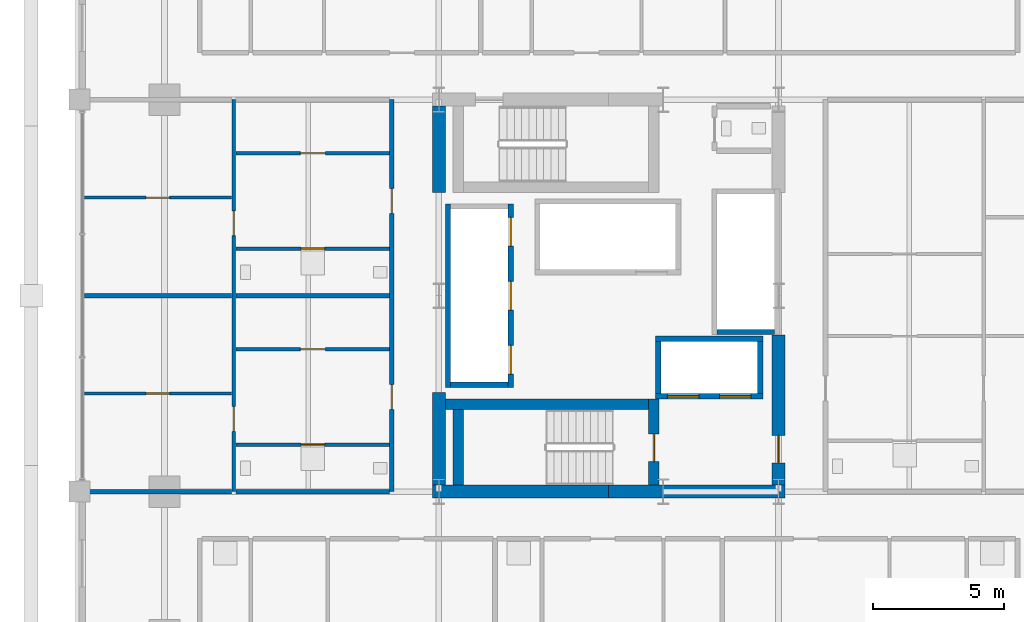
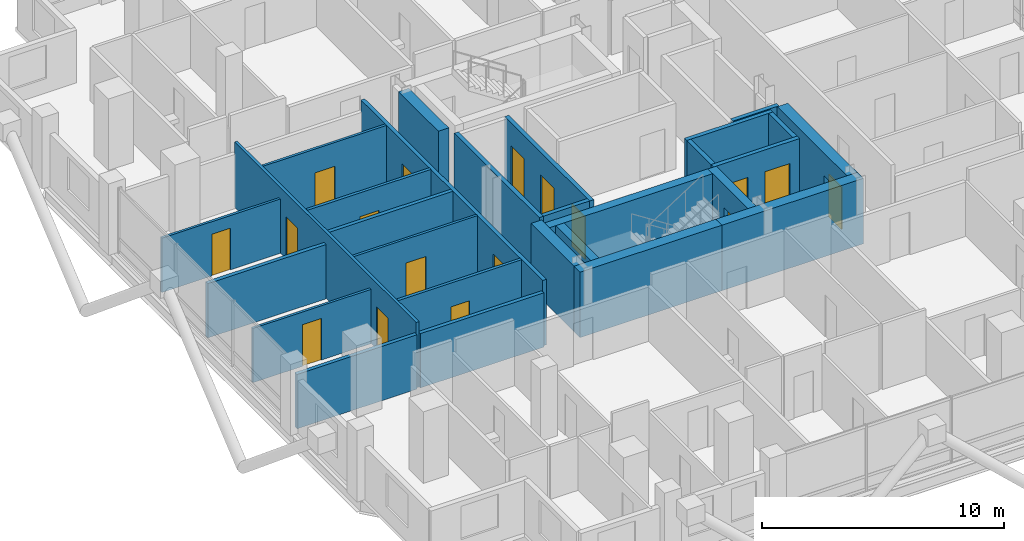
# One storey, part 18 of 23: 28 walls, 17 doors, 17 openings.
"""IFC4 building model written with IfcOpenShell, lengths in metres."""

from ifc_helpers import new_model, si_unit, direction, frame, frame_2d, origin, place, context, subcontext, project, spatial, rectangle, extrude, material, layer, layer_set, type_object, element, fill, save


model = new_model("IFC4")

# Units and contexts
model_context = context("Model", 3, precision=1e-05, world=origin(), true_north=direction((0.0, 1.0)))
body_context = subcontext(model_context, "Body", "Model", "MODEL_VIEW")
ifc_project = project(units=[si_unit("LENGTHUNIT", "METRE"), si_unit("AREAUNIT", "SQUARE_METRE"), si_unit("VOLUMEUNIT", "CUBIC_METRE"), si_unit("PLANEANGLEUNIT", "RADIAN"), si_unit("MASSUNIT", "GRAM", prefix="KILO")], contexts=[model_context])

# Site, building, storey
site_placement = place(None, origin())
site = spatial("IfcSite", under=ifc_project, at=site_placement, CompositionType="ELEMENT")
building_placement = place(site_placement, origin())
building = spatial("IfcBuilding", under=site, at=building_placement, Name="Barlavira Tower and Art Museum", CompositionType="ELEMENT")
storey_placement = place(building_placement, frame((0.0, 0.0, 117.0)))
storey = spatial("IfcBuildingStorey", under=building, at=storey_placement, Name="L29", CompositionType="ELEMENT", Elevation=117.0)

# Wall, opening, door
ifc_material_1 = material(Name="Gypsum acoustic stud partition", Category="gypsum")
ifc_layer_1 = layer(ifc_material_1, 0.1201171875, Name="Gypsum acoustic stud partition")
ifc_layer_set_1 = layer_set([ifc_layer_1], Name="Gypsum acoustic stud partition")
wall_type_1 = type_object("IfcWallType", Name="Apartment Internal Acoustic Partition 120", PredefinedType="PARTITIONING", material=ifc_layer_set_1)
wall_1_placement = place(storey_placement, frame((-20.070068359375, -3.75, 0.0), z_axis=(0.0, 0.0, 1.0), x_axis=(1.0, 0.0, 0.0)))
wall_1 = element("IfcWall", 1, at=wall_1_placement, inside=storey, type_object=wall_type_1, Name="L29 Partition Wall 59", PredefinedType="PARTITIONING", context=body_context, shape_type="SweptSolid", body=[
    extrude(rectangle(XDim=5.64013671875, YDim=0.1201171875, at=frame_2d((2.820068359375, 0.0))), origin(), (0.0, 0.0, 1.0), 2.736083984375),
])
opening_1_placement = place(wall_1_placement, frame((2.3701171875, 0.0, 0.0)))
opening_1 = element("IfcOpeningElement", 2, at=opening_1_placement, cuts=wall_1, Name="Opening D-01", PredefinedType="OPENING", context=body_context, shape_type="SweptSolid", body=[
    extrude(rectangle(XDim=0.89990234375, YDim=2.10009765625, at=frame_2d((0.449951171875, 1.050048828125))), frame((0.0, 0.070068359375, 0.0), z_axis=(0.0, -1.0, 0.0), x_axis=(1.0, 0.0, 0.0)), (0.0, 0.0, 1.0), 0.14013671875),
])
ifc_material_2 = material(Name="Engineered coastal hardwood", Category="wood")
door_type_1 = type_object("IfcDoorType", Name="Internal Bedroom Timber Flush Door 900x2100", OperationType="NOTDEFINED", PredefinedType="DOOR", material=ifc_material_2)
door_1_placement = place(opening_1_placement, origin())
door_1 = element("IfcDoor", 3, at=door_1_placement, inside=storey, type_object=door_type_1, Name="Apartment W1 Bedroom 1 Door", OperationType="SINGLE_SWING_RIGHT", OverallHeight=2.10009765625, OverallWidth=0.89990234375, PredefinedType="DOOR", context=body_context, shape_type="SweptSolid", body=[
    extrude(rectangle(XDim=0.89990234375, YDim=2.10009765625, at=frame_2d((0.449951171875, 1.050048828125))), frame((0.0, 0.02490234375, 0.0), z_axis=(0.0, -1.0, 0.0), x_axis=(1.0, 0.0, 0.0)), (0.0, 0.0, 1.0), 0.050048828125),
])
fill(opening_1, door_1)

wall_2_placement = place(storey_placement, frame((-14.27001953125, -2.050048828125, 0.0), z_axis=(0.0, 0.0, 1.0), x_axis=(1.0, 0.0, 0.0)))
wall_2 = element("IfcWall", 4, at=wall_2_placement, inside=storey, type_object=wall_type_1, Name="L29 Partition Wall 60", PredefinedType="PARTITIONING", context=body_context, shape_type="SweptSolid", body=[
    extrude(rectangle(XDim=5.89013671875, YDim=0.1201171875, at=frame_2d((2.945068359375, 0.0))), origin(), (0.0, 0.0, 1.0), 3.300048828125),
])
opening_2_placement = place(wall_2_placement, frame((2.47509765625, 0.0, 0.0)))
opening_2 = element("IfcOpeningElement", 5, at=opening_2_placement, cuts=wall_2, Name="Opening D-02", PredefinedType="OPENING", context=body_context, shape_type="SweptSolid", body=[
    extrude(rectangle(XDim=0.949951171875, YDim=2.10009765625, at=frame_2d((0.47509765625, 1.050048828125))), frame((0.0, 0.070068359375, 0.0), z_axis=(0.0, -1.0, 0.0), x_axis=(1.0, 0.0, 0.0)), (0.0, 0.0, 1.0), 0.14013671875),
])
door_type_2 = type_object("IfcDoorType", Name="Living and Salon Glazed-Leaf Door 950x2100", OperationType="NOTDEFINED", PredefinedType="DOOR", material=ifc_material_2)
door_2_placement = place(opening_2_placement, origin())
door_2 = element("IfcDoor", 6, at=door_2_placement, inside=storey, type_object=door_type_2, Name="Apartment W1 Kitchen Door", OperationType="SINGLE_SWING_RIGHT", OverallHeight=2.10009765625, OverallWidth=0.949951171875, PredefinedType="DOOR", context=body_context, shape_type="SweptSolid", body=[
    extrude(rectangle(XDim=0.949951171875, YDim=2.10009765625, at=frame_2d((0.47509765625, 1.050048828125))), frame((0.0, 0.02490234375, 0.0), z_axis=(0.0, -1.0, 0.0), x_axis=(1.0, 0.0, 0.0)), (0.0, 0.0, 1.0), 0.050048828125),
])
fill(opening_2, door_2)

wall_3_placement = place(storey_placement, frame((-20.070068359375, 3.75, 0.0), z_axis=(0.0, 0.0, 1.0), x_axis=(1.0, 0.0, 0.0)))
wall_3 = element("IfcWall", 7, at=wall_3_placement, inside=storey, type_object=wall_type_1, Name="L29 Partition Wall 68", PredefinedType="PARTITIONING", context=body_context, shape_type="SweptSolid", body=[
    extrude(rectangle(XDim=5.64013671875, YDim=0.1201171875, at=frame_2d((2.820068359375, 0.0))), origin(), (0.0, 0.0, 1.0), 2.736083984375),
])
opening_3_placement = place(wall_3_placement, frame((2.3701171875, 0.0, 0.0)))
opening_3 = element("IfcOpeningElement", 8, at=opening_3_placement, cuts=wall_3, Name="Opening D-01", PredefinedType="OPENING", context=body_context, shape_type="SweptSolid", body=[
    extrude(rectangle(XDim=0.89990234375, YDim=2.10009765625, at=frame_2d((0.449951171875, 1.050048828125))), frame((0.0, 0.070068359375, 0.0), z_axis=(0.0, -1.0, 0.0), x_axis=(1.0, 0.0, 0.0)), (0.0, 0.0, 1.0), 0.14013671875),
])
door_3_placement = place(opening_3_placement, origin())
door_3 = element("IfcDoor", 9, at=door_3_placement, inside=storey, type_object=door_type_1, Name="Apartment W2 Bedroom 1 Door", OperationType="SINGLE_SWING_LEFT", OverallHeight=2.10009765625, OverallWidth=0.89990234375, PredefinedType="DOOR", context=body_context, shape_type="SweptSolid", body=[
    extrude(rectangle(XDim=0.89990234375, YDim=2.10009765625, at=frame_2d((0.449951171875, 1.050048828125))), frame((0.0, 0.02490234375, 0.0), z_axis=(0.0, -1.0, 0.0), x_axis=(1.0, 0.0, 0.0)), (0.0, 0.0, 1.0), 0.050048828125),
])
fill(opening_3, door_3)

wall_4_placement = place(storey_placement, frame((-14.27001953125, 5.449951171875, 0.0), z_axis=(0.0, 0.0, 1.0), x_axis=(1.0, 0.0, 0.0)))
wall_4 = element("IfcWall", 10, at=wall_4_placement, inside=storey, type_object=wall_type_1, Name="L29 Partition Wall 69", PredefinedType="PARTITIONING", context=body_context, shape_type="SweptSolid", body=[
    extrude(rectangle(XDim=5.89013671875, YDim=0.1201171875, at=frame_2d((2.945068359375, 0.0))), origin(), (0.0, 0.0, 1.0), 3.300048828125),
])
opening_4_placement = place(wall_4_placement, frame((2.47509765625, 0.0, 0.0)))
opening_4 = element("IfcOpeningElement", 11, at=opening_4_placement, cuts=wall_4, Name="Opening D-02", PredefinedType="OPENING", context=body_context, shape_type="SweptSolid", body=[
    extrude(rectangle(XDim=0.949951171875, YDim=2.10009765625, at=frame_2d((0.47509765625, 1.050048828125))), frame((0.0, 0.070068359375, 0.0), z_axis=(0.0, -1.0, 0.0), x_axis=(1.0, 0.0, 0.0)), (0.0, 0.0, 1.0), 0.14013671875),
])
door_4_placement = place(opening_4_placement, origin())
door_4 = element("IfcDoor", 12, at=door_4_placement, inside=storey, type_object=door_type_2, Name="Apartment W2 Kitchen Door", OperationType="SINGLE_SWING_LEFT", OverallHeight=2.10009765625, OverallWidth=0.949951171875, PredefinedType="DOOR", context=body_context, shape_type="SweptSolid", body=[
    extrude(rectangle(XDim=0.949951171875, YDim=2.10009765625, at=frame_2d((0.47509765625, 1.050048828125))), frame((0.0, 0.02490234375, 0.0), z_axis=(0.0, -1.0, 0.0), x_axis=(1.0, 0.0, 0.0)), (0.0, 0.0, 1.0), 0.050048828125),
])
fill(opening_4, door_4)

# Walls
ifc_material_3 = material(Name="Concrete C60", Category="concrete")
ifc_layer_2 = layer(ifc_material_3, 0.5, Name="Concrete C60")
ifc_layer_set_2 = layer_set([ifc_layer_2], Name="Concrete C60")
wall_type_2 = type_object("IfcWallType", Name="Core Structural Shear Wall 500 Concrete C60", PredefinedType="SHEAR", material=ifc_layer_set_2)
for number, where, z_axis, x_axis, name in (
    (13, (-6.75, -7.5, 0.0), (0.0, 0.0, 1.0), (1.0, 0.0, 0.0), "L29 Core Shear Wall CS-SW"),
    (14, (0.0, -7.5, 0.0), (0.0, 0.0, 1.0), (1.0, 0.0, 0.0), "L29 Core Shear Wall CS-SE"),
):
    element("IfcWall", number, at=place(storey_placement, frame(where, z_axis=z_axis, x_axis=x_axis)), inside=storey, type_object=wall_type_2, Name=name, PredefinedType="SHEAR", context=body_context, shape_type="SweptSolid", body=[
        extrude(rectangle(XDim=6.75, YDim=0.5, at=frame_2d((3.375, 0.0))), origin(), (0.0, 0.0, 1.0), 3.300048828125),
    ])
wall_5_placement = place(storey_placement, frame((-6.5, -7.25, 0.0), z_axis=(0.0, 0.0, 1.0), x_axis=(0.0, 1.0, 0.0)))
element("IfcWall", 15, at=wall_5_placement, inside=storey, type_object=wall_type_2, Name="L29 Core Shear Wall CS-W1", PredefinedType="SHEAR", context=body_context, shape_type="SweptSolid", body=[
    extrude(rectangle(XDim=3.550048828125, YDim=0.5, at=frame_2d((1.77490234375, 0.0))), origin(), (0.0, 0.0, 1.0), 3.300048828125),
])
wall_6_placement = place(storey_placement, frame((-6.5, 3.949951171875, 0.0), z_axis=(0.0, 0.0, 1.0), x_axis=(0.0, 1.0, 0.0)))
element("IfcWall", 16, at=wall_6_placement, inside=storey, type_object=wall_type_2, Name="L29 Core Shear Wall CS-W2", PredefinedType="SHEAR", context=body_context, shape_type="SweptSolid", body=[
    extrude(rectangle(XDim=3.300048828125, YDim=0.5, at=frame_2d((1.64990234375, 0.0))), origin(), (0.0, 0.0, 1.0), 3.300048828125),
])

# Wall, opening, door
wall_7_placement = place(storey_placement, frame((6.5, -7.25, 0.0), z_axis=(0.0, 0.0, 1.0), x_axis=(0.0, 1.0, 0.0)))
wall_7 = element("IfcWall", 17, at=wall_7_placement, inside=storey, type_object=wall_type_2, Name="L29 Core Shear Wall CS-E1", PredefinedType="SHEAR", context=body_context, shape_type="SweptSolid", body=[
    extrude(rectangle(XDim=5.75, YDim=0.5, at=frame_2d((2.875, 0.0))), origin(), (0.0, 0.0, 1.0), 3.300048828125),
])
opening_5_placement = place(wall_7_placement, frame((0.85009765625, 0.0, 0.0)))
opening_5 = element("IfcOpeningElement", 18, at=opening_5_placement, cuts=wall_7, Name="Opening FD-90", PredefinedType="OPENING", context=body_context, shape_type="SweptSolid", body=[
    extrude(rectangle(XDim=1.050048828125, YDim=2.14990234375, at=frame_2d((0.52490234375, 1.074951171875))), frame((0.0, 0.260009765625, 0.0), z_axis=(0.0, -1.0, 0.0), x_axis=(1.0, 0.0, 0.0)), (0.0, 0.0, 1.0), 0.52001953125),
])
ifc_material_4 = material(Name="Brushed stainless steel", Category="steel")
door_type_3 = type_object("IfcDoorType", Name="Stair and Refuge Fire Door 1050x2150 FD90S", OperationType="NOTDEFINED", PredefinedType="DOOR", material=ifc_material_4)
door_5_placement = place(opening_5_placement, origin())
door_5 = element("IfcDoor", 19, at=door_5_placement, inside=storey, type_object=door_type_3, Name="L29 Firefighting Lobby Entry Fire Door", OperationType="SINGLE_SWING_LEFT", OverallHeight=2.14990234375, OverallWidth=1.050048828125, PredefinedType="DOOR", context=body_context, shape_type="SweptSolid", body=[
    extrude(rectangle(XDim=1.050048828125, YDim=2.14990234375, at=frame_2d((0.52490234375, 1.074951171875))), frame((0.0, 0.02490234375, 0.0), z_axis=(0.0, -1.0, 0.0), x_axis=(1.0, 0.0, 0.0)), (0.0, 0.0, 1.0), 0.050048828125),
])
fill(opening_5, door_5)

# Wall, openings, doors
ifc_material_5 = material(Name="Autoclaved aerated concrete masonry", Category="masonry")
ifc_layer_3 = layer(ifc_material_5, 0.199951171875, Name="Autoclaved aerated concrete masonry")
ifc_layer_set_3 = layer_set([ifc_layer_3], Name="Autoclaved aerated concrete masonry")
wall_type_3 = type_object("IfcWallType", Name="Fire Compartment and Shaft Wall 200", PredefinedType="SOLIDWALL", material=ifc_layer_set_3)
wall_8_placement = place(storey_placement, frame((-3.75, -3.510009765625, 0.0), z_axis=(0.0, 0.0, 1.0), x_axis=(0.0, 1.0, 0.0)))
wall_8 = element("IfcWall", 20, at=wall_8_placement, inside=storey, type_object=wall_type_3, Name="L29 Low-Rise Lift Front Shaft Wall", PredefinedType="SOLIDWALL", context=body_context, shape_type="SweptSolid", body=[
    extrude(rectangle(XDim=7.02001953125, YDim=0.199951171875, at=frame_2d((3.510009765625, 0.0))), origin(), (0.0, 0.0, 1.0), 3.300048828125),
])
opening_6_placement = place(wall_8_placement, frame((0.510009765625, 0.0, 0.0)))
opening_6 = element("IfcOpeningElement", 21, at=opening_6_placement, cuts=wall_8, Name="Opening LD-P", PredefinedType="OPENING", context=body_context, shape_type="SweptSolid", body=[
    extrude(rectangle(XDim=1.10009765625, YDim=2.14990234375, at=frame_2d((0.550048828125, 1.074951171875))), frame((0.0, 0.10986328125, 0.0), z_axis=(0.0, -1.0, 0.0), x_axis=(1.0, 0.0, 0.0)), (0.0, 0.0, 1.0), 0.219970703125),
])
opening_7_placement = place(wall_8_placement, frame((2.9599609375, 0.0, 0.0)))
opening_7 = element("IfcOpeningElement", 22, at=opening_7_placement, cuts=wall_8, Name="Opening LD-P", PredefinedType="OPENING", context=body_context, shape_type="SweptSolid", body=[
    extrude(rectangle(XDim=1.10009765625, YDim=2.14990234375, at=frame_2d((0.550048828125, 1.074951171875))), frame((0.0, 0.10986328125, 0.0), z_axis=(0.0, -1.0, 0.0), x_axis=(1.0, 0.0, 0.0)), (0.0, 0.0, 1.0), 0.219970703125),
])
opening_8_placement = place(wall_8_placement, frame((5.409912109375, 0.0, 0.0)))
opening_8 = element("IfcOpeningElement", 23, at=opening_8_placement, cuts=wall_8, Name="Opening LD-P", PredefinedType="OPENING", context=body_context, shape_type="SweptSolid", body=[
    extrude(rectangle(XDim=1.10009765625, YDim=2.14990234375, at=frame_2d((0.550048828125, 1.074951171875))), frame((0.0, 0.10986328125, 0.0), z_axis=(0.0, -1.0, 0.0), x_axis=(1.0, 0.0, 0.0)), (0.0, 0.0, 1.0), 0.219970703125),
])
door_type_4 = type_object("IfcDoorType", Name="Passenger Lift Sliding Landing Door 1100x2150 FD60", OperationType="NOTDEFINED", PredefinedType="DOOR", material=ifc_material_4)
door_6_placement = place(opening_6_placement, origin())
door_6 = element("IfcDoor", 24, at=door_6_placement, inside=storey, type_object=door_type_4, Name="L29 Lift PL1 Sliding Landing Door", OperationType="DOUBLE_DOOR_SLIDING", OverallHeight=2.14990234375, OverallWidth=1.10009765625, PredefinedType="DOOR", context=body_context, shape_type="SweptSolid", body=[
    extrude(rectangle(XDim=1.10009765625, YDim=2.14990234375, at=frame_2d((0.550048828125, 1.074951171875))), frame((0.0, 0.02490234375, 0.0), z_axis=(0.0, -1.0, 0.0), x_axis=(1.0, 0.0, 0.0)), (0.0, 0.0, 1.0), 0.050048828125),
])
fill(opening_6, door_6)
door_7_placement = place(opening_7_placement, origin())
door_7 = element("IfcDoor", 25, at=door_7_placement, inside=storey, type_object=door_type_4, Name="L29 Lift PL2 Sliding Landing Door", OperationType="DOUBLE_DOOR_SLIDING", OverallHeight=2.14990234375, OverallWidth=1.10009765625, PredefinedType="DOOR", context=body_context, shape_type="SweptSolid", body=[
    extrude(rectangle(XDim=1.10009765625, YDim=2.14990234375, at=frame_2d((0.550048828125, 1.074951171875))), frame((0.0, 0.02490234375, 0.0), z_axis=(0.0, -1.0, 0.0), x_axis=(1.0, 0.0, 0.0)), (0.0, 0.0, 1.0), 0.050048828125),
])
fill(opening_7, door_7)
door_8_placement = place(opening_8_placement, origin())
door_8 = element("IfcDoor", 26, at=door_8_placement, inside=storey, type_object=door_type_4, Name="L29 Lift PL3 Sliding Landing Door", OperationType="DOUBLE_DOOR_SLIDING", OverallHeight=2.14990234375, OverallWidth=1.10009765625, PredefinedType="DOOR", context=body_context, shape_type="SweptSolid", body=[
    extrude(rectangle(XDim=1.10009765625, YDim=2.14990234375, at=frame_2d((0.550048828125, 1.074951171875))), frame((0.0, 0.02490234375, 0.0), z_axis=(0.0, -1.0, 0.0), x_axis=(1.0, 0.0, 0.0)), (0.0, 0.0, 1.0), 0.050048828125),
])
fill(opening_8, door_8)

# Walls
wall_9_placement = place(storey_placement, frame((-6.14990234375, -3.510009765625, 0.0), z_axis=(0.0, 0.0, 1.0), x_axis=(0.0, 1.0, 0.0)))
element("IfcWall", 27, at=wall_9_placement, inside=storey, type_object=wall_type_3, Name="L29 Low-Rise Lift Back Shaft Wall", PredefinedType="SOLIDWALL", context=body_context, shape_type="SweptSolid", body=[
    extrude(rectangle(XDim=7.02001953125, YDim=0.199951171875, at=frame_2d((3.510009765625, 0.0))), origin(), (0.0, 0.0, 1.0), 3.300048828125),
])
wall_10_placement = place(storey_placement, frame((-6.050048828125, -3.409912109375, 0.0), z_axis=(0.0, 0.0, 1.0), x_axis=(1.0, 0.0, 0.0)))
element("IfcWall", 28, at=wall_10_placement, inside=storey, type_object=wall_type_3, Name="L29 Low-Rise Lift South Shaft Wall", PredefinedType="SOLIDWALL", context=body_context, shape_type="SweptSolid", body=[
    extrude(rectangle(XDim=2.199951171875, YDim=0.199951171875, at=frame_2d((1.10009765625, 0.0))), origin(), (0.0, 0.0, 1.0), 3.300048828125),
])
wall_11_placement = place(storey_placement, frame((4.14990234375, -1.389892578125, 0.0), z_axis=(0.0, 0.0, 1.0), x_axis=(1.0, 0.0, 0.0)))
element("IfcWall", 29, at=wall_11_placement, inside=storey, type_object=wall_type_3, Name="L29 Mid-Rise Lift South Shaft Wall", PredefinedType="SOLIDWALL", context=body_context, shape_type="SweptSolid", body=[
    extrude(rectangle(XDim=2.2001953125, YDim=0.199951171875, at=frame_2d((1.10009765625, 0.0))), origin(), (0.0, 0.0, 1.0), 3.300048828125),
])

# Wall, openings, doors
wall_12_placement = place(storey_placement, frame((1.800048828125, -3.85009765625, 0.0), z_axis=(0.0, 0.0, 1.0), x_axis=(1.0, 0.0, 0.0)))
wall_12 = element("IfcWall", 30, at=wall_12_placement, inside=storey, type_object=wall_type_3, Name="L29 Firefighting Lift Front Shaft Wall", PredefinedType="SOLIDWALL", context=body_context, shape_type="SweptSolid", body=[
    extrude(rectangle(XDim=4.099853515625, YDim=0.199951171875, at=frame_2d((2.0498046875, 0.0))), origin(), (0.0, 0.0, 1.0), 3.300048828125),
])
opening_9_placement = place(wall_12_placement, frame((0.449951171875, 0.0, 0.0)))
opening_9 = element("IfcOpeningElement", 31, at=opening_9_placement, cuts=wall_12, Name="Opening LD-F", PredefinedType="OPENING", context=body_context, shape_type="SweptSolid", body=[
    extrude(rectangle(XDim=1.199951171875, YDim=2.199951171875, at=frame_2d((0.60009765625, 1.10009765625))), frame((0.0, 0.10986328125, 0.0), z_axis=(0.0, -1.0, 0.0), x_axis=(1.0, 0.0, 0.0)), (0.0, 0.0, 1.0), 0.219970703125),
])
opening_10_placement = place(wall_12_placement, frame((2.449951171875, 0.0, 0.0)))
opening_10 = element("IfcOpeningElement", 32, at=opening_10_placement, cuts=wall_12, Name="Opening LD-F", PredefinedType="OPENING", context=body_context, shape_type="SweptSolid", body=[
    extrude(rectangle(XDim=1.199951171875, YDim=2.199951171875, at=frame_2d((0.60009765625, 1.10009765625))), frame((0.0, 0.10986328125, 0.0), z_axis=(0.0, -1.0, 0.0), x_axis=(1.0, 0.0, 0.0)), (0.0, 0.0, 1.0), 0.219970703125),
])
door_type_5 = type_object("IfcDoorType", Name="Firefighting and Service Lift Sliding Door 1200x2200 FD120", OperationType="NOTDEFINED", PredefinedType="DOOR", material=ifc_material_4)
door_9_placement = place(opening_9_placement, origin())
door_9 = element("IfcDoor", 33, at=door_9_placement, inside=storey, type_object=door_type_5, Name="L29 Firefighting Lift FF1 Sliding Door", OperationType="DOUBLE_DOOR_SLIDING", OverallHeight=2.199951171875, OverallWidth=1.199951171875, PredefinedType="DOOR", context=body_context, shape_type="SweptSolid", body=[
    extrude(rectangle(XDim=1.199951171875, YDim=2.199951171875, at=frame_2d((0.60009765625, 1.10009765625))), frame((0.0, 0.02490234375, 0.0), z_axis=(0.0, -1.0, 0.0), x_axis=(1.0, 0.0, 0.0)), (0.0, 0.0, 1.0), 0.050048828125),
])
fill(opening_9, door_9)
door_10_placement = place(opening_10_placement, origin())
door_10 = element("IfcDoor", 34, at=door_10_placement, inside=storey, type_object=door_type_5, Name="L29 Firefighting Lift FF2 Sliding Door", OperationType="DOUBLE_DOOR_SLIDING", OverallHeight=2.199951171875, OverallWidth=1.199951171875, PredefinedType="DOOR", context=body_context, shape_type="SweptSolid", body=[
    extrude(rectangle(XDim=1.199951171875, YDim=2.199951171875, at=frame_2d((0.60009765625, 1.10009765625))), frame((0.0, 0.02490234375, 0.0), z_axis=(0.0, -1.0, 0.0), x_axis=(1.0, 0.0, 0.0)), (0.0, 0.0, 1.0), 0.050048828125),
])
fill(opening_10, door_10)

# Walls
wall_13_placement = place(storey_placement, frame((1.800048828125, -1.64990234375, 0.0), z_axis=(0.0, 0.0, 1.0), x_axis=(1.0, 0.0, 0.0)))
element("IfcWall", 35, at=wall_13_placement, inside=storey, type_object=wall_type_3, Name="L29 Firefighting Lift Back Shaft Wall", PredefinedType="SOLIDWALL", context=body_context, shape_type="SweptSolid", body=[
    extrude(rectangle(XDim=4.099853515625, YDim=0.199951171875, at=frame_2d((2.0498046875, 0.0))), origin(), (0.0, 0.0, 1.0), 3.300048828125),
])
for number, where, z_axis, x_axis, name in (
    (36, (1.89990234375, -3.75, 0.0), (0.0, 0.0, 1.0), (0.0, 1.0, 0.0), "L29 Firefighting Lift West Shaft Wall"),
    (37, (5.800048828125, -3.75, 0.0), (0.0, 0.0, 1.0), (0.0, 1.0, 0.0), "L29 Firefighting Lift East Shaft Wall"),
):
    element("IfcWall", number, at=place(storey_placement, frame(where, z_axis=z_axis, x_axis=x_axis)), inside=storey, type_object=wall_type_3, Name=name, PredefinedType="SOLIDWALL", context=body_context, shape_type="SweptSolid", body=[
        extrude(rectangle(XDim=2.0, YDim=0.199951171875, at=frame_2d((1.0, 0.0))), origin(), (0.0, 0.0, 1.0), 3.300048828125),
    ])

# Wall, openings, doors
ifc_layer_4 = layer(ifc_material_1, 0.179931640625, Name="Gypsum acoustic stud partition")
ifc_layer_set_4 = layer_set([ifc_layer_4], Name="Gypsum acoustic stud partition")
wall_type_4 = type_object("IfcWallType", Name="Inter-Tenancy Party Partition Wall 180", PredefinedType="PARTITIONING", material=ifc_layer_set_4)
wall_14_placement = place(storey_placement, frame((-8.300048828125, -7.5, 0.0), z_axis=(0.0, 0.0, 1.0), x_axis=(0.0, 1.0, 0.0)))
wall_14 = element("IfcWall", 38, at=wall_14_placement, inside=storey, type_object=wall_type_4, Name="L29 Partition Wall 10", PredefinedType="PARTITIONING", context=body_context, shape_type="SweptSolid", body=[
    extrude(rectangle(XDim=15.0, YDim=0.179931640625, at=frame_2d((7.5, 0.0))), origin(), (0.0, 0.0, 1.0), 3.300048828125),
])
opening_11_placement = place(wall_14_placement, frame((3.14501953125, 0.0, 0.0)))
opening_11 = element("IfcOpeningElement", 39, at=opening_11_placement, cuts=wall_14, Name="Opening FD-60", PredefinedType="OPENING", context=body_context, shape_type="SweptSolid", body=[
    extrude(rectangle(XDim=0.949951171875, YDim=2.14990234375, at=frame_2d((0.47509765625, 1.074951171875))), frame((0.0, 0.10009765625, 0.0), z_axis=(0.0, -1.0, 0.0), x_axis=(1.0, 0.0, 0.0)), (0.0, 0.0, 1.0), 0.199951171875),
])
opening_12_placement = place(wall_14_placement, frame((10.64501953125, 0.0, 0.0)))
opening_12 = element("IfcOpeningElement", 40, at=opening_12_placement, cuts=wall_14, Name="Opening FD-60", PredefinedType="OPENING", context=body_context, shape_type="SweptSolid", body=[
    extrude(rectangle(XDim=0.949951171875, YDim=2.14990234375, at=frame_2d((0.47509765625, 1.074951171875))), frame((0.0, 0.10009765625, 0.0), z_axis=(0.0, -1.0, 0.0), x_axis=(1.0, 0.0, 0.0)), (0.0, 0.0, 1.0), 0.199951171875),
])
door_type_6 = type_object("IfcDoorType", Name="Apartment Entrance and Riser Fire Door 950x2150 FD60S", OperationType="NOTDEFINED", PredefinedType="DOOR", material=ifc_material_4)
door_11_placement = place(opening_11_placement, origin())
door_11 = element("IfcDoor", 41, at=door_11_placement, inside=storey, type_object=door_type_6, Name="Apartment Entrance Hall W1 Door", OperationType="SINGLE_SWING_LEFT", OverallHeight=2.14990234375, OverallWidth=0.949951171875, PredefinedType="DOOR", context=body_context, shape_type="SweptSolid", body=[
    extrude(rectangle(XDim=0.949951171875, YDim=2.14990234375, at=frame_2d((0.47509765625, 1.074951171875))), frame((0.0, 0.02490234375, 0.0), z_axis=(0.0, -1.0, 0.0), x_axis=(1.0, 0.0, 0.0)), (0.0, 0.0, 1.0), 0.050048828125),
])
fill(opening_11, door_11)
door_12_placement = place(opening_12_placement, origin())
door_12 = element("IfcDoor", 42, at=door_12_placement, inside=storey, type_object=door_type_6, Name="Apartment Entrance Hall W2 Door", OperationType="SINGLE_SWING_RIGHT", OverallHeight=2.14990234375, OverallWidth=0.949951171875, PredefinedType="DOOR", context=body_context, shape_type="SweptSolid", body=[
    extrude(rectangle(XDim=0.949951171875, YDim=2.14990234375, at=frame_2d((0.47509765625, 1.074951171875))), frame((0.0, 0.02490234375, 0.0), z_axis=(0.0, -1.0, 0.0), x_axis=(1.0, 0.0, 0.0)), (0.0, 0.0, 1.0), 0.050048828125),
])
fill(opening_12, door_12)

# Walls
wall_15_placement = place(storey_placement, frame((-20.14990234375, -7.5, 0.0), z_axis=(0.0, 0.0, 1.0), x_axis=(1.0, 0.0, 0.0)))
element("IfcWall", 43, at=wall_15_placement, inside=storey, type_object=wall_type_4, Name="L29 Partition Wall 53", PredefinedType="PARTITIONING", context=body_context, shape_type="SweptSolid", body=[
    extrude(rectangle(XDim=5.719970703125, YDim=0.179931640625, at=frame_2d((2.85986328125, 0.0))), origin(), (0.0, 0.0, 1.0), 2.736083984375),
])
wall_16_placement = place(storey_placement, frame((-14.27001953125, -7.5, 0.0), z_axis=(0.0, 0.0, 1.0), x_axis=(1.0, 0.0, 0.0)))
element("IfcWall", 44, at=wall_16_placement, inside=storey, type_object=wall_type_4, Name="L29 Partition Wall 54", PredefinedType="PARTITIONING", context=body_context, shape_type="SweptSolid", body=[
    extrude(rectangle(XDim=5.89013671875, YDim=0.179931640625, at=frame_2d((2.945068359375, 0.0))), origin(), (0.0, 0.0, 1.0), 2.736083984375),
])
wall_17_placement = place(storey_placement, frame((-20.070068359375, 0.0, 0.0), z_axis=(0.0, 0.0, 1.0), x_axis=(1.0, 0.0, 0.0)))
element("IfcWall", 45, at=wall_17_placement, inside=storey, type_object=wall_type_4, Name="L29 Partition Wall 63", PredefinedType="PARTITIONING", context=body_context, shape_type="SweptSolid", body=[
    extrude(rectangle(XDim=5.64013671875, YDim=0.179931640625, at=frame_2d((2.820068359375, 0.0))), origin(), (0.0, 0.0, 1.0), 2.736083984375),
])
wall_18_placement = place(storey_placement, frame((-14.27001953125, 0.0, 0.0), z_axis=(0.0, 0.0, 1.0), x_axis=(1.0, 0.0, 0.0)))
element("IfcWall", 46, at=wall_18_placement, inside=storey, type_object=wall_type_4, Name="L29 Partition Wall 64", PredefinedType="PARTITIONING", context=body_context, shape_type="SweptSolid", body=[
    extrude(rectangle(XDim=5.89013671875, YDim=0.179931640625, at=frame_2d((2.945068359375, 0.0))), origin(), (0.0, 0.0, 1.0), 3.300048828125),
])

# Wall, openings, doors
ifc_layer_5 = layer(ifc_material_1, 0.139892578125, Name="Gypsum acoustic stud partition")
ifc_layer_set_5 = layer_set([ifc_layer_5], Name="Gypsum acoustic stud partition")
wall_type_5 = type_object("IfcWallType", Name="Moisture-Resistant Bathroom Partition 140", PredefinedType="PARTITIONING", material=ifc_layer_set_5)
wall_19_placement = place(storey_placement, frame((-14.35009765625, -7.5, 0.0), z_axis=(0.0, 0.0, 1.0), x_axis=(0.0, 1.0, 0.0)))
wall_19 = element("IfcWall", 47, at=wall_19_placement, inside=storey, type_object=wall_type_5, Name="L29 Partition Wall 3", PredefinedType="PARTITIONING", context=body_context, shape_type="SweptSolid", body=[
    extrude(rectangle(XDim=15.0, YDim=0.139892578125, at=frame_2d((7.5, 0.0))), origin(), (0.0, 0.0, 1.0), 3.300048828125),
])
opening_13_placement = place(wall_19_placement, frame((2.304931640625, 0.0, 0.0)))
opening_13 = element("IfcOpeningElement", 48, at=opening_13_placement, cuts=wall_19, Name="Opening D-02", PredefinedType="OPENING", context=body_context, shape_type="SweptSolid", body=[
    extrude(rectangle(XDim=0.949951171875, YDim=2.10009765625, at=frame_2d((0.47509765625, 1.050048828125))), frame((0.0, 0.080078125, 0.0), z_axis=(0.0, -1.0, 0.0), x_axis=(1.0, 0.0, 0.0)), (0.0, 0.0, 1.0), 0.159912109375),
])
opening_14_placement = place(wall_19_placement, frame((9.794921875, 0.0, 0.0)))
opening_14 = element("IfcOpeningElement", 49, at=opening_14_placement, cuts=wall_19, Name="Opening D-02", PredefinedType="OPENING", context=body_context, shape_type="SweptSolid", body=[
    extrude(rectangle(XDim=0.949951171875, YDim=2.10009765625, at=frame_2d((0.47509765625, 1.050048828125))), frame((0.0, 0.080078125, 0.0), z_axis=(0.0, -1.0, 0.0), x_axis=(1.0, 0.0, 0.0)), (0.0, 0.0, 1.0), 0.159912109375),
])
door_13_placement = place(opening_13_placement, origin())
door_13 = element("IfcDoor", 50, at=door_13_placement, inside=storey, type_object=door_type_2, Name="Apartment W1 Living Lounge Door", OperationType="SINGLE_SWING_LEFT", OverallHeight=2.10009765625, OverallWidth=0.949951171875, PredefinedType="DOOR", context=body_context, shape_type="SweptSolid", body=[
    extrude(rectangle(XDim=0.949951171875, YDim=2.10009765625, at=frame_2d((0.47509765625, 1.050048828125))), frame((0.0, 0.02490234375, 0.0), z_axis=(0.0, -1.0, 0.0), x_axis=(1.0, 0.0, 0.0)), (0.0, 0.0, 1.0), 0.050048828125),
])
fill(opening_13, door_13)
door_14_placement = place(opening_14_placement, origin())
door_14 = element("IfcDoor", 51, at=door_14_placement, inside=storey, type_object=door_type_2, Name="Apartment W2 Living Lounge Door", OperationType="SINGLE_SWING_RIGHT", OverallHeight=2.10009765625, OverallWidth=0.949951171875, PredefinedType="DOOR", context=body_context, shape_type="SweptSolid", body=[
    extrude(rectangle(XDim=0.949951171875, YDim=2.10009765625, at=frame_2d((0.47509765625, 1.050048828125))), frame((0.0, 0.02490234375, 0.0), z_axis=(0.0, -1.0, 0.0), x_axis=(1.0, 0.0, 0.0)), (0.0, 0.0, 1.0), 0.050048828125),
])
fill(opening_14, door_14)

# Wall, opening, door
wall_20_placement = place(storey_placement, frame((-14.27001953125, -5.699951171875, 0.0), z_axis=(0.0, 0.0, 1.0), x_axis=(1.0, 0.0, 0.0)))
wall_20 = element("IfcWall", 52, at=wall_20_placement, inside=storey, type_object=wall_type_5, Name="L29 Partition Wall 57", PredefinedType="PARTITIONING", context=body_context, shape_type="SweptSolid", body=[
    extrude(rectangle(XDim=5.89013671875, YDim=0.139892578125, at=frame_2d((2.945068359375, 0.0))), origin(), (0.0, 0.0, 1.0), 3.300048828125),
])
opening_15_placement = place(wall_20_placement, frame((2.5, 0.0, 0.0)))
opening_15 = element("IfcOpeningElement", 53, at=opening_15_placement, cuts=wall_20, Name="Opening D-WC", PredefinedType="OPENING", context=body_context, shape_type="SweptSolid", body=[
    extrude(rectangle(XDim=0.89990234375, YDim=2.10009765625, at=frame_2d((0.449951171875, 1.050048828125))), frame((0.0, 0.080078125, 0.0), z_axis=(0.0, -1.0, 0.0), x_axis=(1.0, 0.0, 0.0)), (0.0, 0.0, 1.0), 0.159912109375),
])
door_type_7 = type_object("IfcDoorType", Name="Accessible Bathroom Flush Door 900x2100", OperationType="NOTDEFINED", PredefinedType="DOOR", material=ifc_material_2)
door_15_placement = place(opening_15_placement, origin())
door_15 = element("IfcDoor", 54, at=door_15_placement, inside=storey, type_object=door_type_7, Name="Apartment W1 Hall Bathroom Door", OperationType="SINGLE_SWING_RIGHT", OverallHeight=2.10009765625, OverallWidth=0.89990234375, PredefinedType="DOOR", context=body_context, shape_type="SweptSolid", body=[
    extrude(rectangle(XDim=0.89990234375, YDim=2.10009765625, at=frame_2d((0.449951171875, 1.050048828125))), frame((0.0, 0.02490234375, 0.0), z_axis=(0.0, -1.0, 0.0), x_axis=(1.0, 0.0, 0.0)), (0.0, 0.0, 1.0), 0.050048828125),
])
fill(opening_15, door_15)

wall_21_placement = place(storey_placement, frame((-14.27001953125, 1.800048828125, 0.0), z_axis=(0.0, 0.0, 1.0), x_axis=(1.0, 0.0, 0.0)))
wall_21 = element("IfcWall", 55, at=wall_21_placement, inside=storey, type_object=wall_type_5, Name="L29 Partition Wall 66", PredefinedType="PARTITIONING", context=body_context, shape_type="SweptSolid", body=[
    extrude(rectangle(XDim=5.89013671875, YDim=0.139892578125, at=frame_2d((2.945068359375, 0.0))), origin(), (0.0, 0.0, 1.0), 3.300048828125),
])
opening_16_placement = place(wall_21_placement, frame((2.5, 0.0, 0.0)))
opening_16 = element("IfcOpeningElement", 56, at=opening_16_placement, cuts=wall_21, Name="Opening D-WC", PredefinedType="OPENING", context=body_context, shape_type="SweptSolid", body=[
    extrude(rectangle(XDim=0.89990234375, YDim=2.10009765625, at=frame_2d((0.449951171875, 1.050048828125))), frame((0.0, 0.080078125, 0.0), z_axis=(0.0, -1.0, 0.0), x_axis=(1.0, 0.0, 0.0)), (0.0, 0.0, 1.0), 0.159912109375),
])
door_16_placement = place(opening_16_placement, origin())
door_16 = element("IfcDoor", 57, at=door_16_placement, inside=storey, type_object=door_type_7, Name="Apartment W2 Hall Bathroom Door", OperationType="SINGLE_SWING_LEFT", OverallHeight=2.10009765625, OverallWidth=0.89990234375, PredefinedType="DOOR", context=body_context, shape_type="SweptSolid", body=[
    extrude(rectangle(XDim=0.89990234375, YDim=2.10009765625, at=frame_2d((0.449951171875, 1.050048828125))), frame((0.0, 0.02490234375, 0.0), z_axis=(0.0, -1.0, 0.0), x_axis=(1.0, 0.0, 0.0)), (0.0, 0.0, 1.0), 0.050048828125),
])
fill(opening_16, door_16)

# Walls
ifc_material_6 = material(Name="Concrete C55", Category="concrete")
ifc_layer_6 = layer(ifc_material_6, 0.39990234375, Name="Concrete C55")
ifc_layer_set_6 = layer_set([ifc_layer_6], Name="Concrete C55")
wall_type_6 = type_object("IfcWallType", Name="Upper Core Shear Wall 400 Concrete C55", PredefinedType="SHEAR", material=ifc_layer_set_6)
wall_22_placement = place(storey_placement, frame((-5.75, -7.25, 0.0), z_axis=(0.0, 0.0, 1.0), x_axis=(0.0, 1.0, 0.0)))
element("IfcWall", 58, at=wall_22_placement, inside=storey, type_object=wall_type_6, Name="L29 ST-T1 West Half-Landing Wall", PredefinedType="SHEAR", context=body_context, shape_type="SweptSolid", body=[
    extrude(rectangle(XDim=2.89990234375, YDim=0.39990234375, at=frame_2d((1.449951171875, 0.0))), origin(), (0.0, 0.0, 1.0), 3.300048828125),
])
wall_23_placement = place(storey_placement, frame((-6.25, -4.14990234375, 0.0), z_axis=(0.0, 0.0, 1.0), x_axis=(1.0, 0.0, 0.0)))
element("IfcWall", 59, at=wall_23_placement, inside=storey, type_object=wall_type_6, Name="L29 ST-T1 North Shaft Wall", PredefinedType="SHEAR", context=body_context, shape_type="SweptSolid", body=[
    extrude(rectangle(XDim=7.780029296875, YDim=0.39990234375, at=frame_2d((3.89013671875, 0.0))), origin(), (0.0, 0.0, 1.0), 3.300048828125),
])

# Wall, opening, door
wall_24_placement = place(storey_placement, frame((1.72998046875, -7.25, 0.0), z_axis=(0.0, 0.0, 1.0), x_axis=(0.0, 1.0, 0.0)))
wall_24 = element("IfcWall", 60, at=wall_24_placement, inside=storey, type_object=wall_type_6, Name="L29 ST-T1 East Landing Wall", PredefinedType="SHEAR", context=body_context, shape_type="SweptSolid", body=[
    extrude(rectangle(XDim=3.300048828125, YDim=0.39990234375, at=frame_2d((1.64990234375, 0.0))), origin(), (0.0, 0.0, 1.0), 3.300048828125),
])
opening_17_placement = place(wall_24_placement, frame((0.89990234375, 0.0, 0.0)))
opening_17 = element("IfcOpeningElement", 61, at=opening_17_placement, cuts=wall_24, Name="Opening FD-90", PredefinedType="OPENING", context=body_context, shape_type="SweptSolid", body=[
    extrude(rectangle(XDim=1.050048828125, YDim=2.14990234375, at=frame_2d((0.52490234375, 1.074951171875))), frame((0.0, 0.2099609375, 0.0), z_axis=(0.0, -1.0, 0.0), x_axis=(1.0, 0.0, 0.0)), (0.0, 0.0, 1.0), 0.419921875),
])
door_17_placement = place(opening_17_placement, origin())
door_17 = element("IfcDoor", 62, at=door_17_placement, inside=storey, type_object=door_type_3, Name="L29 Stair ST-T1 Fire Door", OperationType="SINGLE_SWING_RIGHT", OverallHeight=2.14990234375, OverallWidth=1.050048828125, PredefinedType="DOOR", context=body_context, shape_type="SweptSolid", body=[
    extrude(rectangle(XDim=1.050048828125, YDim=2.14990234375, at=frame_2d((0.52490234375, 1.074951171875))), frame((0.0, 0.02490234375, 0.0), z_axis=(0.0, -1.0, 0.0), x_axis=(1.0, 0.0, 0.0)), (0.0, 0.0, 1.0), 0.050048828125),
])
fill(opening_17, door_17)

save(model, "model.ifc")
